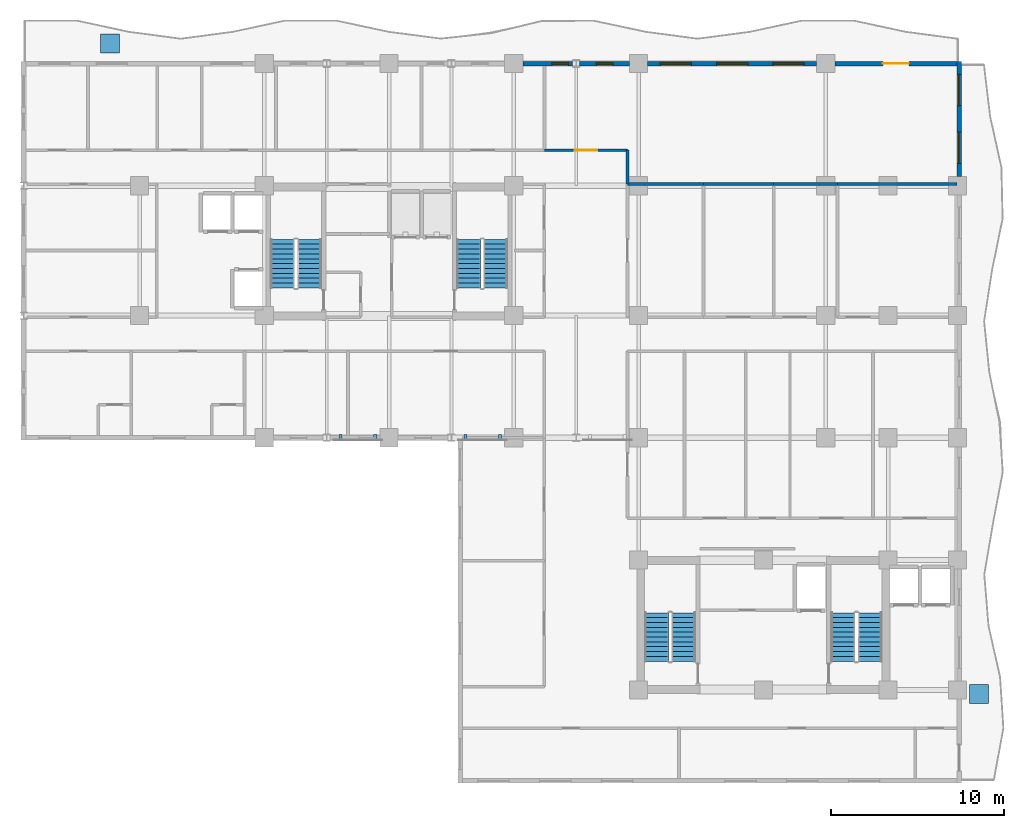
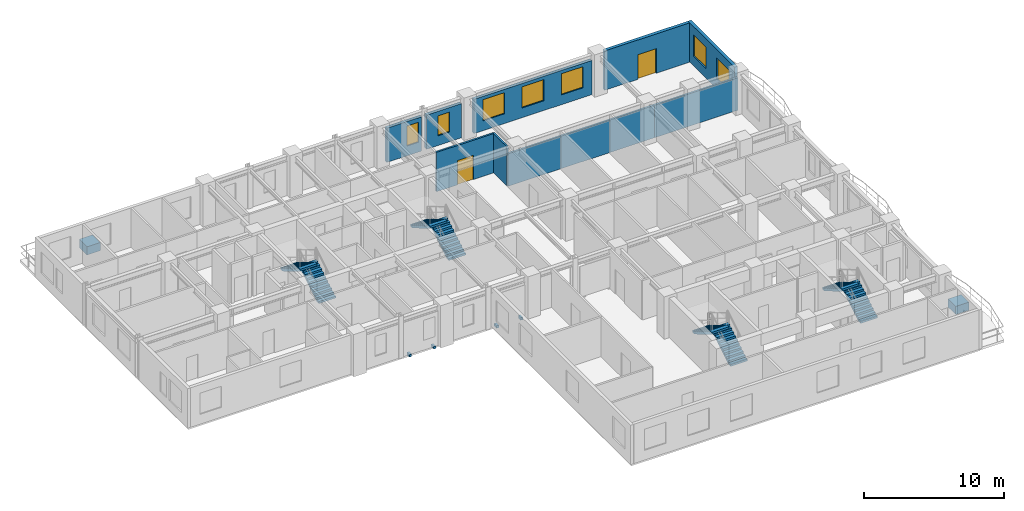
# One storey, part 9 of 14: 11 walls, 8 stair flights, 7 windows, 6 discrete accessories, 2 doors, 9 openings, 4 elements without a shape of their own.
"""IFC4 building model written with IfcOpenShell, lengths in metres."""

from ifc_helpers import new_model, si_unit, direction, frame, frame_2d, origin, origin_2d, place, context, subcontext, project, spatial, polyline, rectangle, outline, extrude, source, transform, mapped, material, layer, layer_set, type_object, element, fill, aggregate, save


model = new_model("IFC4")

# Units and contexts
model_context = context("Model", 3, precision=1e-05, world=origin(), true_north=direction((0.0, 1.0)))
body_context = subcontext(model_context, "Body", "Model", "MODEL_VIEW")
ifc_project = project(units=[si_unit("LENGTHUNIT", "METRE"), si_unit("AREAUNIT", "SQUARE_METRE"), si_unit("VOLUMEUNIT", "CUBIC_METRE"), si_unit("PLANEANGLEUNIT", "RADIAN"), si_unit("MASSUNIT", "GRAM", prefix="KILO")], contexts=[model_context])

# Site, building, storey
site_placement = place(None, origin())
site = spatial("IfcSite", under=ifc_project, at=site_placement, CompositionType="ELEMENT")
building_placement = place(site_placement, origin())
building = spatial("IfcBuilding", under=site, at=building_placement, Name="Kaliganga Portal Commons", CompositionType="ELEMENT")
storey_placement = place(building_placement, frame((0.0, 0.0, 151.300048828125)))
storey = spatial("IfcBuildingStorey", under=building, at=storey_placement, Name="L38", CompositionType="ELEMENT", Elevation=151.300048828125)

# Wall, openings, windows
ifc_material_1 = material(Name="Insulated Aluminium-Clad Spandrel Assembly", Category="aluminium")
ifc_layer_1 = layer(ifc_material_1, 0.260009765625)
ifc_layer_set_1 = layer_set([ifc_layer_1], Name="Insulated Aluminium-Clad Spandrel Assembly")
wall_type_1 = type_object("IfcWallType", Name="WL-EXT-SPAND-260", PredefinedType="STANDARD", material=ifc_layer_set_1)
wall_1_placement = place(storey_placement, frame((54.5, 43.330078125, 0.0), z_axis=(0.0, 0.0, 1.0), x_axis=(0.0, -1.0, 0.0)))
wall_1 = element("IfcWall", 1, at=wall_1_placement, inside=storey, type_object=wall_type_1, Name="Exterior Envelope Wall L38 P1-E01-S6", PredefinedType="STANDARD", context=body_context, shape_type="SweptSolid", body=[
    extrude(rectangle(XDim=6.654052734375, YDim=0.260009765625, at=frame_2d((3.3271484375, 0.0))), origin(), (0.0, 0.0, 1.0), 3.43994140625),
])
opening_1_placement = place(wall_1_placement, frame((0.763427734375, 0.0, 0.85009765625)))
opening_1 = element("IfcOpeningElement", 2, at=opening_1_placement, cuts=wall_1, Name="Opening W-01", PredefinedType="OPENING", context=body_context, shape_type="SweptSolid", body=[
    extrude(rectangle(XDim=1.800048828125, YDim=1.85009765625, at=frame_2d((0.89990234375, 0.925048828125))), frame((0.0, 0.14013671875, 0.0), z_axis=(0.0, -1.0, 0.0), x_axis=(1.0, 0.0, 0.0)), (0.0, 0.0, 1.0), 0.280029296875),
])
opening_2_placement = place(wall_1_placement, frame((4.090576171875, 0.0, 0.85009765625)))
opening_2 = element("IfcOpeningElement", 3, at=opening_2_placement, cuts=wall_1, Name="Opening W-01", PredefinedType="OPENING", context=body_context, shape_type="SweptSolid", body=[
    extrude(rectangle(XDim=1.800048828125, YDim=1.85009765625, at=frame_2d((0.89990234375, 0.925048828125))), frame((0.0, 0.14013671875, 0.0), z_axis=(0.0, -1.0, 0.0), x_axis=(1.0, 0.0, 0.0)), (0.0, 0.0, 1.0), 0.280029296875),
])
ifc_material_2 = material(Name="Thermally Broken Aluminium and Low-E Double Glazing", Category="aluminium")
window_type_1 = type_object("IfcWindowType", Name="WIN-STD-1800", PartitioningType="DOUBLE_PANEL_VERTICAL", PredefinedType="WINDOW", material=ifc_material_2)
window_1_placement = place(opening_1_placement, origin())
window_1 = element("IfcWindow", 4, at=window_1_placement, inside=storey, type_object=window_type_1, Name="Facade Window L38-P1E01S6-00", OverallHeight=1.85009765625, OverallWidth=1.800048828125, PartitioningType="SINGLE_PANEL", PredefinedType="WINDOW", context=body_context, shape_type="SweptSolid", body=[
    extrude(rectangle(XDim=1.800048828125, YDim=1.85009765625, at=frame_2d((0.89990234375, 0.925048828125))), frame((0.0, 0.030029296875, 0.0), z_axis=(0.0, -1.0, 0.0), x_axis=(1.0, 0.0, 0.0)), (0.0, 0.0, 1.0), 0.06005859375),
])
fill(opening_1, window_1)
window_2_placement = place(opening_2_placement, origin())
window_2 = element("IfcWindow", 5, at=window_2_placement, inside=storey, type_object=window_type_1, Name="Facade Window L38-P1E01S6-01", OverallHeight=1.85009765625, OverallWidth=1.800048828125, PartitioningType="SINGLE_PANEL", PredefinedType="WINDOW", context=body_context, shape_type="SweptSolid", body=[
    extrude(rectangle(XDim=1.800048828125, YDim=1.85009765625, at=frame_2d((0.89990234375, 0.925048828125))), frame((0.0, 0.030029296875, 0.0), z_axis=(0.0, -1.0, 0.0), x_axis=(1.0, 0.0, 0.0)), (0.0, 0.0, 1.0), 0.06005859375),
])
fill(opening_2, window_2)

# Wall, opening, door
wall_2_placement = place(storey_placement, frame((47.325927734375, 43.199951171875, 0.0), z_axis=(0.0, 0.0, 1.0), x_axis=(1.0, 0.0, 0.0)))
wall_2 = element("IfcWall", 6, at=wall_2_placement, inside=storey, type_object=wall_type_1, Name="Exterior Envelope Wall L38 P1-E02-S1", PredefinedType="STANDARD", context=body_context, shape_type="SweptSolid", body=[
    extrude(rectangle(XDim=7.0390625, YDim=0.260009765625, at=frame_2d((3.51953125, 0.0))), origin(), (0.0, 0.0, 1.0), 3.43994140625),
])
opening_3_placement = place(wall_2_placement, frame((2.77001953125, 0.0, 0.0)))
opening_3 = element("IfcOpeningElement", 7, at=opening_3_placement, cuts=wall_2, Name="Opening BD-01", PredefinedType="OPENING", context=body_context, shape_type="SweptSolid", body=[
    extrude(rectangle(XDim=1.5, YDim=2.14990234375, at=frame_2d((0.75, 1.074951171875))), frame((0.0, 0.14013671875, 0.0), z_axis=(0.0, -1.0, 0.0), x_axis=(1.0, 0.0, 0.0)), (0.0, 0.0, 1.0), 0.280029296875),
])
ifc_material_3 = material(Name="Anodized Aluminium and Laminated Safety Glass", Category="aluminium")
door_type_1 = type_object("IfcDoorType", Name="DR-BALC-1500", OperationType="SLIDING_TO_LEFT", PredefinedType="DOOR", material=ifc_material_3)
door_1_placement = place(opening_3_placement, origin())
door_1 = element("IfcDoor", 8, at=door_1_placement, inside=storey, type_object=door_type_1, Name="Balcony Sliding Door L38 balc_north", OperationType="SLIDING_TO_LEFT", OverallHeight=2.14990234375, OverallWidth=1.5, PredefinedType="DOOR", context=body_context, shape_type="SweptSolid", body=[
    extrude(rectangle(XDim=1.5, YDim=2.14990234375, at=frame_2d((0.75, 1.074951171875))), frame((0.0, 0.02490234375, 0.0), z_axis=(0.0, -1.0, 0.0), x_axis=(1.0, 0.0, 0.0)), (0.0, 0.0, 1.0), 0.050048828125),
])
fill(opening_3, door_1)

# Wall, openings, windows
wall_3_placement = place(storey_placement, frame((36.52587890625, 43.199951171875, 0.0), z_axis=(0.0, 0.0, 1.0), x_axis=(1.0, 0.0, 0.0)))
wall_3 = element("IfcWall", 9, at=wall_3_placement, inside=storey, type_object=wall_type_1, Name="Exterior Envelope Wall L38 P1-E02-S2", PredefinedType="STANDARD", context=body_context, shape_type="SweptSolid", body=[
    extrude(rectangle(XDim=9.748046875, YDim=0.260009765625, at=frame_2d((4.8740234375, 0.0))), origin(), (0.0, 0.0, 1.0), 2.989990234375),
])
opening_4_placement = place(wall_3_placement, frame((0.724609375, 0.0, 0.85009765625)))
opening_4 = element("IfcOpeningElement", 10, at=opening_4_placement, cuts=wall_3, Name="Opening W-01", PredefinedType="OPENING", context=body_context, shape_type="SweptSolid", body=[
    extrude(rectangle(XDim=1.800048828125, YDim=1.85009765625, at=frame_2d((0.89990234375, 0.925048828125))), frame((0.0, 0.14013671875, 0.0), z_axis=(0.0, -1.0, 0.0), x_axis=(1.0, 0.0, 0.0)), (0.0, 0.0, 1.0), 0.280029296875),
])
opening_5_placement = place(wall_3_placement, frame((3.97412109375, 0.0, 0.85009765625)))
opening_5 = element("IfcOpeningElement", 11, at=opening_5_placement, cuts=wall_3, Name="Opening W-01", PredefinedType="OPENING", context=body_context, shape_type="SweptSolid", body=[
    extrude(rectangle(XDim=1.800048828125, YDim=1.85009765625, at=frame_2d((0.89990234375, 0.925048828125))), frame((0.0, 0.14013671875, 0.0), z_axis=(0.0, -1.0, 0.0), x_axis=(1.0, 0.0, 0.0)), (0.0, 0.0, 1.0), 0.280029296875),
])
opening_6_placement = place(wall_3_placement, frame((7.223388671875, 0.0, 0.85009765625)))
opening_6 = element("IfcOpeningElement", 12, at=opening_6_placement, cuts=wall_3, Name="Opening W-01", PredefinedType="OPENING", context=body_context, shape_type="SweptSolid", body=[
    extrude(rectangle(XDim=1.800048828125, YDim=1.85009765625, at=frame_2d((0.89990234375, 0.925048828125))), frame((0.0, 0.14013671875, 0.0), z_axis=(0.0, -1.0, 0.0), x_axis=(1.0, 0.0, 0.0)), (0.0, 0.0, 1.0), 0.280029296875),
])
window_3_placement = place(opening_4_placement, origin())
window_3 = element("IfcWindow", 13, at=window_3_placement, inside=storey, type_object=window_type_1, Name="Facade Window L38-P1E02S2-00", OverallHeight=1.85009765625, OverallWidth=1.800048828125, PartitioningType="SINGLE_PANEL", PredefinedType="WINDOW", context=body_context, shape_type="SweptSolid", body=[
    extrude(rectangle(XDim=1.800048828125, YDim=1.85009765625, at=frame_2d((0.89990234375, 0.925048828125))), frame((0.0, 0.030029296875, 0.0), z_axis=(0.0, -1.0, 0.0), x_axis=(1.0, 0.0, 0.0)), (0.0, 0.0, 1.0), 0.06005859375),
])
fill(opening_4, window_3)
window_4_placement = place(opening_5_placement, origin())
window_4 = element("IfcWindow", 14, at=window_4_placement, inside=storey, type_object=window_type_1, Name="Facade Window L38-P1E02S2-01", OverallHeight=1.85009765625, OverallWidth=1.800048828125, PartitioningType="SINGLE_PANEL", PredefinedType="WINDOW", context=body_context, shape_type="SweptSolid", body=[
    extrude(rectangle(XDim=1.800048828125, YDim=1.85009765625, at=frame_2d((0.89990234375, 0.925048828125))), frame((0.0, 0.030029296875, 0.0), z_axis=(0.0, -1.0, 0.0), x_axis=(1.0, 0.0, 0.0)), (0.0, 0.0, 1.0), 0.06005859375),
])
fill(opening_5, window_4)
window_5_placement = place(opening_6_placement, origin())
window_5 = element("IfcWindow", 15, at=window_5_placement, inside=storey, type_object=window_type_1, Name="Facade Window L38-P1E02S2-02", OverallHeight=1.85009765625, OverallWidth=1.800048828125, PartitioningType="SINGLE_PANEL", PredefinedType="WINDOW", context=body_context, shape_type="SweptSolid", body=[
    extrude(rectangle(XDim=1.800048828125, YDim=1.85009765625, at=frame_2d((0.89990234375, 0.925048828125))), frame((0.0, 0.030029296875, 0.0), z_axis=(0.0, -1.0, 0.0), x_axis=(1.0, 0.0, 0.0)), (0.0, 0.0, 1.0), 0.06005859375),
])
fill(opening_6, window_5)

# Wall, opening, window
wall_4_placement = place(storey_placement, frame((32.60302734375, 43.199951171875, 0.0), z_axis=(0.0, 0.0, 1.0), x_axis=(1.0, 0.0, 0.0)))
wall_4 = element("IfcWall", 16, at=wall_4_placement, inside=storey, type_object=wall_type_1, Name="Exterior Envelope Wall L38 P1-E02-S3", PredefinedType="STANDARD", context=body_context, shape_type="SweptSolid", body=[
    extrude(rectangle(XDim=2.87109375, YDim=0.260009765625, at=frame_2d((1.435546875, 0.0))), origin(), (0.0, 0.0, 1.0), 2.989990234375),
])
opening_7_placement = place(wall_4_placement, frame((0.96044921875, 0.0, 0.85009765625)))
opening_7 = element("IfcOpeningElement", 17, at=opening_7_placement, cuts=wall_4, Name="Opening W-04", PredefinedType="OPENING", context=body_context, shape_type="SweptSolid", body=[
    extrude(rectangle(XDim=0.949951171875, YDim=1.75, at=frame_2d((0.47509765625, 0.875))), frame((0.0, 0.14013671875, 0.0), z_axis=(0.0, -1.0, 0.0), x_axis=(1.0, 0.0, 0.0)), (0.0, 0.0, 1.0), 0.280029296875),
])
window_type_2 = type_object("IfcWindowType", Name="WIN-NARROW-950", PartitioningType="SINGLE_PANEL", PredefinedType="WINDOW", material=ifc_material_2)
window_6_placement = place(opening_7_placement, origin())
window_6 = element("IfcWindow", 18, at=window_6_placement, inside=storey, type_object=window_type_2, Name="Facade Window L38-P1E02S3-00", OverallHeight=1.75, OverallWidth=0.949951171875, PartitioningType="SINGLE_PANEL", PredefinedType="WINDOW", context=body_context, shape_type="SweptSolid", body=[
    extrude(rectangle(XDim=0.949951171875, YDim=1.75, at=frame_2d((0.47509765625, 0.875))), frame((0.0, 0.030029296875, 0.0), z_axis=(0.0, -1.0, 0.0), x_axis=(1.0, 0.0, 0.0)), (0.0, 0.0, 1.0), 0.06005859375),
])
fill(opening_7, window_6)

wall_5_placement = place(storey_placement, frame((29.325927734375, 43.199951171875, 0.0), z_axis=(0.0, 0.0, 1.0), x_axis=(1.0, 0.0, 0.0)))
wall_5 = element("IfcWall", 19, at=wall_5_placement, inside=storey, type_object=wall_type_1, Name="Exterior Envelope Wall L38 P1-E02-S4", PredefinedType="STANDARD", context=body_context, shape_type="SweptSolid", body=[
    extrude(rectangle(XDim=2.87109375, YDim=0.260009765625, at=frame_2d((1.435546875, 0.0))), origin(), (0.0, 0.0, 1.0), 2.989990234375),
])
opening_8_placement = place(wall_5_placement, frame((1.672607421875, 0.0, 0.85009765625)))
opening_8 = element("IfcOpeningElement", 20, at=opening_8_placement, cuts=wall_5, Name="Opening W-04", PredefinedType="OPENING", context=body_context, shape_type="SweptSolid", body=[
    extrude(rectangle(XDim=0.949951171875, YDim=1.75, at=frame_2d((0.47509765625, 0.875))), frame((0.0, 0.14013671875, 0.0), z_axis=(0.0, -1.0, 0.0), x_axis=(1.0, 0.0, 0.0)), (0.0, 0.0, 1.0), 0.280029296875),
])
window_7_placement = place(opening_8_placement, origin())
window_7 = element("IfcWindow", 21, at=window_7_placement, inside=storey, type_object=window_type_2, Name="Facade Window L38-P1E02S4-N2", OverallHeight=1.75, OverallWidth=0.949951171875, PartitioningType="SINGLE_PANEL", PredefinedType="WINDOW", context=body_context, shape_type="SweptSolid", body=[
    extrude(rectangle(XDim=0.949951171875, YDim=1.75, at=frame_2d((0.47509765625, 0.875))), frame((0.0, 0.030029296875, 0.0), z_axis=(0.0, -1.0, 0.0), x_axis=(1.0, 0.0, 0.0)), (0.0, 0.0, 1.0), 0.06005859375),
])
fill(opening_8, window_7)

# Wall, opening, door
ifc_material_4 = material(Name="Fire-Rated Gypsum Board on Steel Stud", Category="steel")
ifc_layer_2 = layer(ifc_material_4, 0.14990234375)
ifc_layer_set_2 = layer_set([ifc_layer_2], Name="Fire-Rated Gypsum Board on Steel Stud")
wall_type_2 = type_object("IfcWallType", Name="WL-PART-CORR-150", PredefinedType="PARTITIONING", material=ifc_layer_set_2)
wall_6_placement = place(storey_placement, frame((30.56005859375, 38.199951171875, 0.0), z_axis=(0.0, 0.0, 1.0), x_axis=(1.0, 0.0, 0.0)))
wall_6 = element("IfcWall", 22, at=wall_6_placement, inside=storey, type_object=wall_type_2, Name="Interior Partition L38-031", PredefinedType="PARTITIONING", context=body_context, shape_type="SweptSolid", body=[
    extrude(rectangle(XDim=4.800048828125, YDim=0.14990234375, at=frame_2d((2.39990234375, 0.0))), origin(), (0.0, 0.0, 1.0), 3.43994140625),
])
opening_9_placement = place(wall_6_placement, frame((1.75, 0.0, 0.0)))
opening_9 = element("IfcOpeningElement", 23, at=opening_9_placement, cuts=wall_6, Name="Opening RD-03", PredefinedType="OPENING", context=body_context, shape_type="SweptSolid", body=[
    extrude(rectangle(XDim=1.300048828125, YDim=2.1201171875, at=frame_2d((0.64990234375, 1.06005859375))), frame((0.0, 0.0849609375, 0.0), z_axis=(0.0, -1.0, 0.0), x_axis=(1.0, 0.0, 0.0)), (0.0, 0.0, 1.0), 0.169921875),
])
ifc_material_5 = material(Name="Glazed Timber Seminar Vision Door", Category="wood")
door_type_2 = type_object("IfcDoorType", Name="DR-STUDY-1300", OperationType="DOUBLE_DOOR_SINGLE_SWING", PredefinedType="DOOR", material=ifc_material_5)
door_2_placement = place(opening_9_placement, origin())
door_2 = element("IfcDoor", 24, at=door_2_placement, inside=storey, type_object=door_type_2, Name="Interior Door L38-ANE01", OperationType="DOUBLE_DOOR_SINGLE_SWING", OverallHeight=2.1201171875, OverallWidth=1.300048828125, PredefinedType="DOOR", context=body_context, shape_type="SweptSolid", body=[
    extrude(rectangle(XDim=1.300048828125, YDim=2.1201171875, at=frame_2d((0.64990234375, 1.06005859375))), frame((0.0, 0.02490234375, 0.0), z_axis=(0.0, -1.0, 0.0), x_axis=(1.0, 0.0, 0.0)), (0.0, 0.0, 1.0), 0.050048828125),
])
fill(opening_9, door_2)

# Walls
wall_7_placement = place(storey_placement, frame((35.360107421875, 36.239990234375, 0.0), z_axis=(0.0, 0.0, 1.0), x_axis=(0.0, 1.0, 0.0)))
element("IfcWall", 25, at=wall_7_placement, inside=storey, type_object=wall_type_2, Name="Interior Partition L38-057", PredefinedType="PARTITIONING", context=body_context, shape_type="SweptSolid", body=[
    extrude(rectangle(XDim=1.9599609375, YDim=0.14990234375, at=frame_2d((0.97998046875, 0.0))), origin(), (0.0, 0.0, 1.0), 3.43994140625),
])
ifc_material_6 = material(Name="Twin-Stud Acoustic Gypsum Partition", Category="gypsum")
ifc_layer_3 = layer(ifc_material_6, 0.1650390625)
ifc_layer_set_3 = layer_set([ifc_layer_3], Name="Twin-Stud Acoustic Gypsum Partition")
wall_type_3 = type_object("IfcWallType", Name="WL-PART-UNIT-165", PredefinedType="PARTITIONING", material=ifc_layer_set_3)
wall_8_placement = place(storey_placement, frame((47.47998046875, 36.239990234375, 0.0), z_axis=(0.0, 0.0, 1.0), x_axis=(1.0, 0.0, 0.0)))
element("IfcWall", 26, at=wall_8_placement, inside=storey, type_object=wall_type_3, Name="Interior Partition L38-069", PredefinedType="PARTITIONING", context=body_context, shape_type="SweptSolid", body=[
    extrude(rectangle(XDim=6.887939453125, YDim=0.1650390625, at=frame_2d((3.44384765625, 0.0))), origin(), (0.0, 0.0, 1.0), 2.83984375),
])
wall_9_placement = place(storey_placement, frame((35.360107421875, 36.239990234375, 0.0), z_axis=(0.0, 0.0, 1.0), x_axis=(1.0, 0.0, 0.0)))
element("IfcWall", 27, at=wall_9_placement, inside=storey, type_object=wall_type_3, Name="Interior Partition L38-080", PredefinedType="PARTITIONING", context=body_context, shape_type="SweptSolid", body=[
    extrude(rectangle(XDim=4.3798828125, YDim=0.1650390625, at=frame_2d((2.18994140625, 0.0))), origin(), (0.0, 0.0, 1.0), 2.83984375),
])
wall_10_placement = place(storey_placement, frame((39.739990234375, 36.239990234375, 0.0), z_axis=(0.0, 0.0, 1.0), x_axis=(1.0, 0.0, 0.0)))
element("IfcWall", 28, at=wall_10_placement, inside=storey, type_object=wall_type_3, Name="Interior Partition L38-081", PredefinedType="PARTITIONING", context=body_context, shape_type="SweptSolid", body=[
    extrude(rectangle(XDim=4.06005859375, YDim=0.1650390625, at=frame_2d((2.030029296875, 0.0))), origin(), (0.0, 0.0, 1.0), 2.83984375),
])
wall_11_placement = place(storey_placement, frame((43.800048828125, 36.239990234375, 0.0), z_axis=(0.0, 0.0, 1.0), x_axis=(1.0, 0.0, 0.0)))
element("IfcWall", 29, at=wall_11_placement, inside=storey, type_object=wall_type_3, Name="Interior Partition L38-082", PredefinedType="PARTITIONING", context=body_context, shape_type="SweptSolid", body=[
    extrude(rectangle(XDim=3.679931640625, YDim=0.1650390625, at=frame_2d((1.83984375, 0.0))), origin(), (0.0, 0.0, 1.0), 2.83984375),
])

# Stair, stair flights
ifc_material_7 = material(Name="Concrete C40/50", Category="concrete")
stair_type = type_object("IfcStairType", Name="ST-CORE-DOGLEG", PredefinedType="HALF_TURN_STAIR", material=ifc_material_7)
stair_1_placement = place(storey_placement, origin())
stair_1 = element("IfcStair", 30, at=stair_1_placement, inside=storey, type_object=stair_type, Name="L38 Protected Exit Stair ST-A1", PredefinedType="HALF_TURN_STAIR")
stair_flight_type = type_object("IfcStairFlightType", Name="STF-RC-1400", PredefinedType="STRAIGHT", material=ifc_material_7)
stair_flight_1_placement = place(storey_placement, frame((17.0, 30.25, 0.0), z_axis=(0.0, 0.0, 1.0), x_axis=(0.0, 1.0, 0.0)))
stair_flight_1 = element("IfcStairFlight", 31, at=stair_flight_1_placement, type_object=stair_flight_type, Name="ST-A1 flight 1", NumberOfRisers=11, NumberOfTreads=10, PredefinedType="STRAIGHT", RiserHeight=0.168181818, TreadLength=0.28, context=body_context, shape_type="SweptSolid", body=[
    extrude(outline(polyline([(0.0, 0.0), (0.0, 0.168212890625), (0.280029296875, 0.168212890625), (0.280029296875, 0.33642578125), (0.56005859375, 0.33642578125), (0.56005859375, 0.504638671875), (0.840087890625, 0.504638671875), (0.840087890625, 0.672607421875), (1.1201171875, 0.672607421875), (1.1201171875, 0.8408203125), (1.39990234375, 0.8408203125), (1.39990234375, 1.009033203125), (1.679931640625, 1.009033203125), (1.679931640625, 1.17724609375), (1.9599609375, 1.17724609375), (1.9599609375, 1.345458984375), (2.239990234375, 1.345458984375), (2.239990234375, 1.513671875), (2.52001953125, 1.513671875), (2.52001953125, 1.681884765625), (2.800048828125, 1.681884765625), (2.800048828125, 1.85009765625), (2.800048828125, 1.5068359375), (0.291015625, 0.0), (0.0, 0.0)])), frame((0.0, 0.699951171875, 0.0), z_axis=(0.0, -1.0, 0.0), x_axis=(1.0, 0.0, 0.0)), (0.0, 0.0, 1.0), 1.39990234375),
])
stair_flight_2_placement = place(storey_placement, frame((15.449951171875, 33.050048828125, 1.849853515625), z_axis=(0.0, 0.0, 1.0), x_axis=(0.0, -1.0, 0.0)))
stair_flight_2 = element("IfcStairFlight", 32, at=stair_flight_2_placement, type_object=stair_flight_type, Name="ST-A1 flight 2", NumberOfRisers=11, NumberOfTreads=10, PredefinedType="STRAIGHT", RiserHeight=0.168181818, TreadLength=0.28, context=body_context, shape_type="SweptSolid", body=[
    extrude(outline(polyline([(0.0, 0.0), (0.0, 0.168212890625), (0.280029296875, 0.168212890625), (0.280029296875, 0.33642578125), (0.56005859375, 0.33642578125), (0.56005859375, 0.504638671875), (0.840087890625, 0.504638671875), (0.840087890625, 0.672607421875), (1.1201171875, 0.672607421875), (1.1201171875, 0.8408203125), (1.39990234375, 0.8408203125), (1.39990234375, 1.009033203125), (1.679931640625, 1.009033203125), (1.679931640625, 1.17724609375), (1.9599609375, 1.17724609375), (1.9599609375, 1.345458984375), (2.239990234375, 1.345458984375), (2.239990234375, 1.513671875), (2.52001953125, 1.513671875), (2.52001953125, 1.681884765625), (2.800048828125, 1.681884765625), (2.800048828125, 1.85009765625), (2.800048828125, 1.5068359375), (0.291015625, 0.0), (0.0, 0.0)])), frame((0.0, 0.699951171875, 0.0), z_axis=(0.0, -1.0, 0.0), x_axis=(1.0, 0.0, 0.0)), (0.0, 0.0, 1.0), 1.39990234375),
])
aggregate(stair_1, [stair_flight_1, stair_flight_2])

stair_2_placement = place(storey_placement, origin())
stair_2 = element("IfcStair", 33, at=stair_2_placement, inside=storey, type_object=stair_type, Name="L38 Protected Exit Stair ST-A2", PredefinedType="HALF_TURN_STAIR")
stair_flight_3_placement = place(storey_placement, frame((27.75, 30.25, 0.0), z_axis=(0.0, 0.0, 1.0), x_axis=(0.0, 1.0, 0.0)))
stair_flight_3 = element("IfcStairFlight", 34, at=stair_flight_3_placement, type_object=stair_flight_type, Name="ST-A2 flight 1", NumberOfRisers=11, NumberOfTreads=10, PredefinedType="STRAIGHT", RiserHeight=0.168181818, TreadLength=0.28, context=body_context, shape_type="SweptSolid", body=[
    extrude(outline(polyline([(0.0, 0.0), (0.0, 0.168212890625), (0.280029296875, 0.168212890625), (0.280029296875, 0.33642578125), (0.56005859375, 0.33642578125), (0.56005859375, 0.504638671875), (0.840087890625, 0.504638671875), (0.840087890625, 0.672607421875), (1.1201171875, 0.672607421875), (1.1201171875, 0.8408203125), (1.39990234375, 0.8408203125), (1.39990234375, 1.009033203125), (1.679931640625, 1.009033203125), (1.679931640625, 1.17724609375), (1.9599609375, 1.17724609375), (1.9599609375, 1.345458984375), (2.239990234375, 1.345458984375), (2.239990234375, 1.513671875), (2.52001953125, 1.513671875), (2.52001953125, 1.681884765625), (2.800048828125, 1.681884765625), (2.800048828125, 1.85009765625), (2.800048828125, 1.5068359375), (0.291015625, 0.0), (0.0, 0.0)])), frame((0.0, 0.699951171875, 0.0), z_axis=(0.0, -1.0, 0.0), x_axis=(1.0, 0.0, 0.0)), (0.0, 0.0, 1.0), 1.39990234375),
])
stair_flight_4_placement = place(storey_placement, frame((26.199951171875, 33.050048828125, 1.849853515625), z_axis=(0.0, 0.0, 1.0), x_axis=(0.0, -1.0, 0.0)))
stair_flight_4 = element("IfcStairFlight", 35, at=stair_flight_4_placement, type_object=stair_flight_type, Name="ST-A2 flight 2", NumberOfRisers=11, NumberOfTreads=10, PredefinedType="STRAIGHT", RiserHeight=0.168181818, TreadLength=0.28, context=body_context, shape_type="SweptSolid", body=[
    extrude(outline(polyline([(0.0, 0.0), (0.0, 0.168212890625), (0.280029296875, 0.168212890625), (0.280029296875, 0.33642578125), (0.56005859375, 0.33642578125), (0.56005859375, 0.504638671875), (0.840087890625, 0.504638671875), (0.840087890625, 0.672607421875), (1.1201171875, 0.672607421875), (1.1201171875, 0.8408203125), (1.39990234375, 0.8408203125), (1.39990234375, 1.009033203125), (1.679931640625, 1.009033203125), (1.679931640625, 1.17724609375), (1.9599609375, 1.17724609375), (1.9599609375, 1.345458984375), (2.239990234375, 1.345458984375), (2.239990234375, 1.513671875), (2.52001953125, 1.513671875), (2.52001953125, 1.681884765625), (2.800048828125, 1.681884765625), (2.800048828125, 1.85009765625), (2.800048828125, 1.5068359375), (0.291015625, 0.0), (0.0, 0.0)])), frame((0.0, 0.699951171875, 0.0), z_axis=(0.0, -1.0, 0.0), x_axis=(1.0, 0.0, 0.0)), (0.0, 0.0, 1.0), 1.39990234375),
])
aggregate(stair_2, [stair_flight_3, stair_flight_4])

stair_3_placement = place(storey_placement, origin())
stair_3 = element("IfcStair", 36, at=stair_3_placement, inside=storey, type_object=stair_type, Name="L38 Protected Exit Stair ST-B1", PredefinedType="HALF_TURN_STAIR")
stair_flight_5_placement = place(storey_placement, frame((38.60009765625, 8.699951171875, 0.0), z_axis=(0.0, 0.0, 1.0), x_axis=(0.0, 1.0, 0.0)))
stair_flight_5 = element("IfcStairFlight", 37, at=stair_flight_5_placement, type_object=stair_flight_type, Name="ST-B1 flight 1", NumberOfRisers=11, NumberOfTreads=10, PredefinedType="STRAIGHT", RiserHeight=0.168181818, TreadLength=0.28, context=body_context, shape_type="SweptSolid", body=[
    extrude(outline(polyline([(0.0, 0.0), (0.0, 0.168212890625), (0.280029296875, 0.168212890625), (0.280029296875, 0.33642578125), (0.56005859375, 0.33642578125), (0.56005859375, 0.504638671875), (0.840087890625, 0.504638671875), (0.840087890625, 0.672607421875), (1.1201171875, 0.672607421875), (1.1201171875, 0.8408203125), (1.39990234375, 0.8408203125), (1.39990234375, 1.009033203125), (1.679931640625, 1.009033203125), (1.679931640625, 1.17724609375), (1.9599609375, 1.17724609375), (1.9599609375, 1.345458984375), (2.239990234375, 1.345458984375), (2.239990234375, 1.513671875), (2.52001953125, 1.513671875), (2.52001953125, 1.681884765625), (2.800048828125, 1.681884765625), (2.800048828125, 1.85009765625), (2.800048828125, 1.5068359375), (0.291015625, 0.0), (0.0, 0.0)])), frame((0.0, 0.699951171875, 0.0), z_axis=(0.0, -1.0, 0.0), x_axis=(1.0, 0.0, 0.0)), (0.0, 0.0, 1.0), 1.39990234375),
])
stair_flight_6_placement = place(storey_placement, frame((37.050048828125, 11.5, 1.849853515625), z_axis=(0.0, 0.0, 1.0), x_axis=(0.0, -1.0, 0.0)))
stair_flight_6 = element("IfcStairFlight", 38, at=stair_flight_6_placement, type_object=stair_flight_type, Name="ST-B1 flight 2", NumberOfRisers=11, NumberOfTreads=10, PredefinedType="STRAIGHT", RiserHeight=0.168181818, TreadLength=0.28, context=body_context, shape_type="SweptSolid", body=[
    extrude(outline(polyline([(0.0, 0.0), (0.0, 0.168212890625), (0.280029296875, 0.168212890625), (0.280029296875, 0.33642578125), (0.56005859375, 0.33642578125), (0.56005859375, 0.504638671875), (0.840087890625, 0.504638671875), (0.840087890625, 0.672607421875), (1.1201171875, 0.672607421875), (1.1201171875, 0.8408203125), (1.39990234375, 0.8408203125), (1.39990234375, 1.009033203125), (1.679931640625, 1.009033203125), (1.679931640625, 1.17724609375), (1.9599609375, 1.17724609375), (1.9599609375, 1.345458984375), (2.239990234375, 1.345458984375), (2.239990234375, 1.513671875), (2.52001953125, 1.513671875), (2.52001953125, 1.681884765625), (2.800048828125, 1.681884765625), (2.800048828125, 1.85009765625), (2.800048828125, 1.5068359375), (0.291015625, 0.0), (0.0, 0.0)])), frame((0.0, 0.699951171875, 0.0), z_axis=(0.0, -1.0, 0.0), x_axis=(1.0, 0.0, 0.0)), (0.0, 0.0, 1.0), 1.39990234375),
])
aggregate(stair_3, [stair_flight_5, stair_flight_6])

stair_4_placement = place(storey_placement, origin())
stair_4 = element("IfcStair", 39, at=stair_4_placement, inside=storey, type_object=stair_type, Name="L38 Protected Exit Stair ST-B2", PredefinedType="HALF_TURN_STAIR")
stair_flight_7_placement = place(storey_placement, frame((49.35009765625, 8.699951171875, 0.0), z_axis=(0.0, 0.0, 1.0), x_axis=(0.0, 1.0, 0.0)))
stair_flight_7 = element("IfcStairFlight", 40, at=stair_flight_7_placement, type_object=stair_flight_type, Name="ST-B2 flight 1", NumberOfRisers=11, NumberOfTreads=10, PredefinedType="STRAIGHT", RiserHeight=0.168181818, TreadLength=0.28, context=body_context, shape_type="SweptSolid", body=[
    extrude(outline(polyline([(0.0, 0.0), (0.0, 0.168212890625), (0.280029296875, 0.168212890625), (0.280029296875, 0.33642578125), (0.56005859375, 0.33642578125), (0.56005859375, 0.504638671875), (0.840087890625, 0.504638671875), (0.840087890625, 0.672607421875), (1.1201171875, 0.672607421875), (1.1201171875, 0.8408203125), (1.39990234375, 0.8408203125), (1.39990234375, 1.009033203125), (1.679931640625, 1.009033203125), (1.679931640625, 1.17724609375), (1.9599609375, 1.17724609375), (1.9599609375, 1.345458984375), (2.239990234375, 1.345458984375), (2.239990234375, 1.513671875), (2.52001953125, 1.513671875), (2.52001953125, 1.681884765625), (2.800048828125, 1.681884765625), (2.800048828125, 1.85009765625), (2.800048828125, 1.5068359375), (0.291015625, 0.0), (0.0, 0.0)])), frame((0.0, 0.699951171875, 0.0), z_axis=(0.0, -1.0, 0.0), x_axis=(1.0, 0.0, 0.0)), (0.0, 0.0, 1.0), 1.39990234375),
])
stair_flight_8_placement = place(storey_placement, frame((47.800048828125, 11.5, 1.849853515625), z_axis=(0.0, 0.0, 1.0), x_axis=(0.0, -1.0, 0.0)))
stair_flight_8 = element("IfcStairFlight", 41, at=stair_flight_8_placement, type_object=stair_flight_type, Name="ST-B2 flight 2", NumberOfRisers=11, NumberOfTreads=10, PredefinedType="STRAIGHT", RiserHeight=0.168181818, TreadLength=0.28, context=body_context, shape_type="SweptSolid", body=[
    extrude(outline(polyline([(0.0, 0.0), (0.0, 0.168212890625), (0.280029296875, 0.168212890625), (0.280029296875, 0.33642578125), (0.56005859375, 0.33642578125), (0.56005859375, 0.504638671875), (0.840087890625, 0.504638671875), (0.840087890625, 0.672607421875), (1.1201171875, 0.672607421875), (1.1201171875, 0.8408203125), (1.39990234375, 0.8408203125), (1.39990234375, 1.009033203125), (1.679931640625, 1.009033203125), (1.679931640625, 1.17724609375), (1.9599609375, 1.17724609375), (1.9599609375, 1.345458984375), (2.239990234375, 1.345458984375), (2.239990234375, 1.513671875), (2.52001953125, 1.513671875), (2.52001953125, 1.681884765625), (2.800048828125, 1.681884765625), (2.800048828125, 1.85009765625), (2.800048828125, 1.5068359375), (0.291015625, 0.0), (0.0, 0.0)])), frame((0.0, 0.699951171875, 0.0), z_axis=(0.0, -1.0, 0.0), x_axis=(1.0, 0.0, 0.0)), (0.0, 0.0, 1.0), 1.39990234375),
])
aggregate(stair_4, [stair_flight_7, stair_flight_8])

# Discrete accessories
ifc_material_8 = material(Name="Precast concrete C40/50", Category="concrete")
discrete_accessory_type_1 = type_object("IfcDiscreteAccessoryType", Name="DAC-PLANTER-RC", PredefinedType="USERDEFINED", material=ifc_material_8)
shared_shape_1 = source(origin(), body_context, "Body", "SweptSolid", [
    extrude(rectangle(XDim=1.10009765625, YDim=1.10009765625, at=origin_2d()), origin(), (0.0, 0.0, 1.0), 0.719970703125),
])
for number, where, z_axis, x_axis, name in (
    (42, (5.5, 44.35009765625, 0.0), (0.0, 0.0, 1.0), (1.0, 0.0, 0.0), "Structural Tree Planter L38 balc_north"),
    (43, (55.64990234375, 6.800048828125, 0.0), (0.0, 0.0, 1.0), (1.0, 0.0, 0.0), "Structural Tree Planter L38 balc_east"),
):
    element("IfcDiscreteAccessory", number, at=place(storey_placement, frame(where, z_axis=z_axis, x_axis=x_axis)), inside=storey, type_object=discrete_accessory_type_1, Name=name, ObjectType="PLANTER", PredefinedType="USERDEFINED", context=body_context, shape_type="MappedRepresentation", body=[
        mapped(shared_shape_1, transform((0.0, 0.0, 0.0), x_axis=(1.0, 0.0, 0.0), y_axis=(0.0, 1.0, 0.0), z_axis=(0.0, 0.0, 1.0), scale=1.0)),
    ])
ifc_material_9 = material(Name="Structural steel S355J2", Category="steel")
discrete_accessory_type_2 = type_object("IfcDiscreteAccessoryType", Name="DAC-BRK-SCR", PredefinedType="BRACKET", material=ifc_material_9)
shared_shape_2 = source(origin(), body_context, "Body", "SweptSolid", [
    extrude(rectangle(XDim=0.179931640625, YDim=0.360107421875, at=origin_2d()), origin(), (0.0, 0.0, 1.0), 0.219970703125),
])
for number, where, z_axis, x_axis, name in (
    (44, (18.800048828125, 21.6201171875, -0.18994140625), (0.0, 0.0, 1.0), (1.0, 0.0, 0.0), "Solar Screen Outrigger Bracket L38-S1-1"),
    (45, (20.800048828125, 21.6201171875, -0.18994140625), (0.0, 0.0, 1.0), (1.0, 0.0, 0.0), "Solar Screen Outrigger Bracket L38-S1-2"),
    (46, (26.0, 21.6201171875, -0.18994140625), (0.0, 0.0, 1.0), (1.0, 0.0, 0.0), "Solar Screen Outrigger Bracket L38-S2-1"),
    (47, (28.0, 21.6201171875, -0.18994140625), (0.0, 0.0, 1.0), (1.0, 0.0, 0.0), "Solar Screen Outrigger Bracket L38-S2-2"),
):
    element("IfcDiscreteAccessory", number, at=place(storey_placement, frame(where, z_axis=z_axis, x_axis=x_axis)), inside=storey, type_object=discrete_accessory_type_2, Name=name, PredefinedType="BRACKET", context=body_context, shape_type="MappedRepresentation", body=[
        mapped(shared_shape_2, transform((0.0, 0.0, 0.0), x_axis=(1.0, 0.0, 0.0), y_axis=(0.0, 1.0, 0.0), z_axis=(0.0, 0.0, 1.0), scale=1.0)),
    ])

save(model, "model.ifc")
